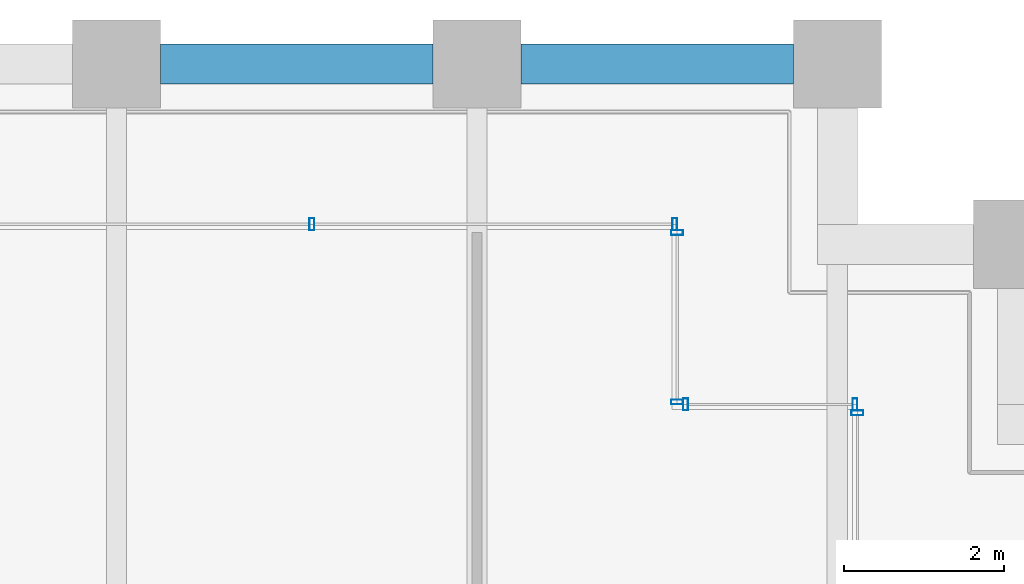
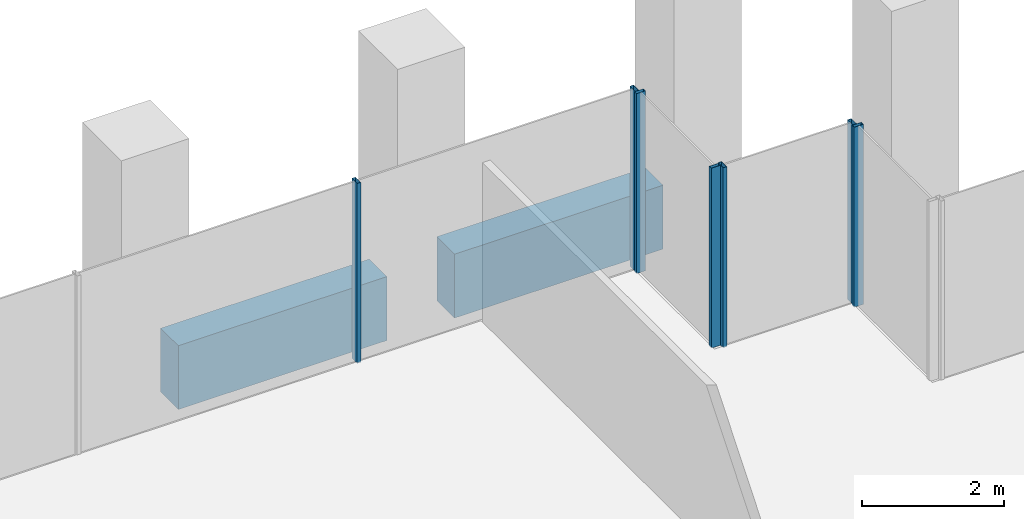
# One storey, part 32 of 54: 7 members, 2 beams, 4 elements without a shape of their own.
"""IFC4 building model written with IfcOpenShell, lengths in metres."""

import ifcopenshell
import ifcopenshell.guid

model = None  # the IFC model being written
_history = None  # IfcOwnerHistory: only IFC2X3 demands one
_inside = {}  # id of a spatial element -> (the spatial element, [elements in it])
_under = {}  # id of a project, library or spatial element -> (it, [spatial elements below it])
_declared = {}  # id of a project -> (the project, [libraries it declares])
_typed = {}  # id of a type object -> (the type object, [elements of that type])
_made_of = {}  # id of a material, layer set ... -> (it, [elements and type objects made of it])


def new_model(schema):
    """Start an empty IFC model of exactly this schema.

    Asked for "IFC4X3", IfcOpenShell would pick the latest addendum, in which some entities
    have other attributes; the version numbers below select the first issue.
    IFC2X3 requires an IfcOwnerHistory on every rooted entity: one is made here for all.
    """
    global model, _history
    if schema == "IFC4X3":
        model = ifcopenshell.file(schema_version=(4, 3, 0, 0))
    else:
        model = ifcopenshell.file(schema=schema)
    _inside.clear()
    _under.clear()
    _declared.clear()
    _typed.clear()
    _made_of.clear()
    _history = None
    if model.schema == "IFC2X3":
        org = make("IfcOrganization", Name="unknown")
        user = make(
            "IfcPersonAndOrganization",
            ThePerson=make("IfcPerson", FamilyName="unknown"),
            TheOrganization=org,
        )
        app = make(
            "IfcApplication",
            ApplicationDeveloper=org,
            Version="unknown",
            ApplicationFullName="unknown",
            ApplicationIdentifier="unknown",
        )
        _history = make(
            "IfcOwnerHistory",
            OwningUser=user,
            OwningApplication=app,
            ChangeAction="ADDED",
            CreationDate=0,
        )
    return model


def make(cls, **values):
    """One entity of the class cls with the attributes given. An attribute that is None is left unset."""
    return model.create_entity(
        cls, **{name: value for name, value in values.items() if value is not None}
    )


def rooted(cls, **values):
    """An entity with a GlobalId (a new one), such as an element, a storey or a relation."""
    return make(cls, GlobalId=ifcopenshell.guid.new(), OwnerHistory=_history, **values)


def si_unit(unit_type, name, prefix=None):
    """IfcSIUnit, for example si_unit("LENGTHUNIT", "METRE", prefix="MILLI")."""
    return make("IfcSIUnit", UnitType=unit_type, Prefix=prefix, Name=name)


def assignment(units):
    """IfcUnitAssignment: the units of a project."""
    return None if units is None else make("IfcUnitAssignment", Units=units)


def point(xyz):
    """IfcCartesianPoint."""
    return None if xyz is None else make("IfcCartesianPoint", Coordinates=xyz)


def direction(xyz):
    """IfcDirection."""
    return None if xyz is None else make("IfcDirection", DirectionRatios=xyz)


def frame(location, z_axis=None, x_axis=None):
    """IfcAxis2Placement3D, a coordinate frame: its origin and axes. An axis left out is left unset."""
    return make(
        "IfcAxis2Placement3D",
        Location=point(location),
        Axis=direction(z_axis),
        RefDirection=direction(x_axis),
    )


def frame_2d(location, x_axis=None):
    """IfcAxis2Placement2D, a coordinate frame in the plane: its origin and x axis."""
    return make(
        "IfcAxis2Placement2D", Location=point(location), RefDirection=direction(x_axis)
    )


def origin():
    """The frame at (0, 0, 0) with its axes left unset."""
    return frame((0.0, 0.0, 0.0))


def origin_2d():
    """The frame at (0, 0) in the plane with its x axis left unset."""
    return frame_2d((0.0, 0.0))


def place(relative_to, where):
    """IfcLocalPlacement: puts the frame where relative to a parent placement (None: the world)."""
    return make(
        "IfcLocalPlacement", PlacementRelTo=relative_to, RelativePlacement=where
    )


def context(
    kind, dimensions, precision=None, world=None, true_north=None, identifier=None
):
    """IfcGeometricRepresentationContext, for example the 3D "Model" context."""
    return make(
        "IfcGeometricRepresentationContext",
        ContextIdentifier=identifier,
        ContextType=kind,
        CoordinateSpaceDimension=dimensions,
        Precision=precision,
        WorldCoordinateSystem=world,
        TrueNorth=true_north,
    )


def subcontext(parent, identifier, kind, view, scale=None):
    """IfcGeometricRepresentationSubContext, for example "Body" below "Model"."""
    return make(
        "IfcGeometricRepresentationSubContext",
        ContextIdentifier=identifier,
        ContextType=kind,
        ParentContext=parent,
        TargetScale=scale,
        TargetView=view,
    )


def project(units=None, contexts=None):
    """IfcProject with its units and contexts."""
    return rooted(
        "IfcProject",
        Name="project",
        RepresentationContexts=contexts,
        UnitsInContext=assignment(units),
    )


def spatial(cls, under=None, at=None, **own):
    """A site, building, storey or space (cls), placed at a placement, below another one or the project."""
    s = rooted(cls, ObjectPlacement=at, **own)
    if under is not None:
        _under.setdefault(under.id(), (under, []))[1].append(s)
    return s


def profile(cls, at=None, kind="AREA", **sizes):
    """A parametric profile (cls). Its sizes go by their IFC names, for example OverallWidth=200.0."""
    return make(cls, ProfileType=kind, Position=at, **sizes)


def rectangle(**sizes):
    """IfcRectangleProfileDef."""
    return profile("IfcRectangleProfileDef", **sizes)


def hollow_rectangle(**sizes):
    """IfcRectangleHollowProfileDef."""
    return profile("IfcRectangleHollowProfileDef", **sizes)


def extrude(swept, where, along, depth):
    """IfcExtrudedAreaSolid: the profile swept, set in the frame where, extruded along a direction by depth."""
    return make(
        "IfcExtrudedAreaSolid",
        SweptArea=swept,
        Position=where,
        ExtrudedDirection=direction(along),
        Depth=depth,
    )


def shape(context_of_items, identifier, shape_type, items):
    """IfcShapeRepresentation: the items that make up one representation, for example the "Body"."""
    return make(
        "IfcShapeRepresentation",
        ContextOfItems=context_of_items,
        RepresentationIdentifier=identifier,
        RepresentationType=shape_type,
        Items=items,
    )


def material(Name=None, Category=None):
    """IfcMaterial."""
    return make("IfcMaterial", Name=Name, Category=Category)


def material_profile(
    of_material, cross_section, Name=None, Category=None, Priority=None
):
    """IfcMaterialProfile: a cross section and its material."""
    return make(
        "IfcMaterialProfile",
        Name=Name,
        Material=of_material,
        Profile=cross_section,
        Priority=Priority,
        Category=Category,
    )


def profile_set(profiles, Name=None, composite=None):
    """IfcMaterialProfileSet."""
    return make(
        "IfcMaterialProfileSet",
        Name=Name,
        MaterialProfiles=profiles,
        CompositeProfile=composite,
    )


def made_of(thing, what):
    """Note that an element or type object is made of a material, layer set ...; save() writes the relation."""
    if what is not None:
        _made_of.setdefault(what.id(), (what, []))[1].append(thing)
    return thing


def type_object(cls, material=None, **own):
    """A type object (cls), such as IfcWallType, which elements share."""
    return made_of(rooted(cls, **own), material)


def element(
    cls,
    number,
    at=None,
    inside=None,
    cuts=None,
    type_object=None,
    material=None,
    context=None,
    identifier="Body",
    shape_type=None,
    held_by="IfcProductDefinitionShape",
    body=None,
    shapes=None,
    **own,
):
    """One element of the class cls, such as IfcWall. Its Tag is "e" and its number.

    at: its placement. inside: the storey or other place that contains it. cuts: it is an
    opening in that element (IfcRelVoidsElement). A single representation is given by context,
    identifier, shape_type and body (its items); several are given by shapes. held_by: the class
    of the entity that holds the representations. save() writes the other relations.
    """
    e = rooted(cls, Tag="e%d" % number, ObjectPlacement=at, **own)
    if body is not None:
        shapes = [shape(context, identifier, shape_type, body)]
    if shapes is not None:
        e.Representation = make(held_by, Representations=shapes)
    if inside is not None:
        _inside.setdefault(inside.id(), (inside, []))[1].append(e)
    if cuts is not None:
        rooted(
            "IfcRelVoidsElement", RelatingBuildingElement=cuts, RelatedOpeningElement=e
        )
    if type_object is not None:
        _typed.setdefault(type_object.id(), (type_object, []))[1].append(e)
    return made_of(e, material)


def aggregate(whole, parts):
    """IfcRelAggregates: a whole, such as a stair, and the parts it consists of."""
    return rooted("IfcRelAggregates", RelatingObject=whole, RelatedObjects=parts)


def save(model, path):
    """Write the relations noted so far, then the file.

    IfcRelAggregates (storeys below a building ...), IfcRelContainedInSpatialStructure (elements
    in a storey), IfcRelDefinesByType, IfcRelAssociatesMaterial and IfcRelDeclares: one each for
    every whole, place, type object, material and project.
    """
    for whole, parts in _under.values():
        aggregate(whole, parts)
    for where, things in _inside.values():
        rooted(
            "IfcRelContainedInSpatialStructure",
            RelatedElements=things,
            RelatingStructure=where,
        )
    for kind, things in _typed.values():
        rooted("IfcRelDefinesByType", RelatedObjects=things, RelatingType=kind)
    for what, things in _made_of.values():
        rooted("IfcRelAssociatesMaterial", RelatedObjects=things, RelatingMaterial=what)
    for by, libraries in _declared.values():
        rooted("IfcRelDeclares", RelatingContext=by, RelatedDefinitions=libraries)
    model.write(path)


model = new_model("IFC4")

# Units and contexts
model_context = context("Model", 3, precision=1e-05, world=origin(), true_north=direction((0.0, 1.0)))
body_context = subcontext(model_context, "Body", "Model", "MODEL_VIEW")
ifc_project = project(units=[si_unit("LENGTHUNIT", "METRE"), si_unit("AREAUNIT", "SQUARE_METRE"), si_unit("VOLUMEUNIT", "CUBIC_METRE"), si_unit("PLANEANGLEUNIT", "RADIAN"), si_unit("MASSUNIT", "GRAM", prefix="KILO")], contexts=[model_context])

# Site, building, storey
site_placement = place(None, origin())
site = spatial("IfcSite", under=ifc_project, at=site_placement, CompositionType="ELEMENT")
building_placement = place(site_placement, origin())
building = spatial("IfcBuilding", under=site, at=building_placement, Name="Altepetl Exchange Towers", CompositionType="ELEMENT")
storey_placement = place(building_placement, frame((0.0, 0.0, 65.39990234375)))
storey = spatial("IfcBuildingStorey", under=building, at=storey_placement, Name="L15", CompositionType="ELEMENT", Elevation=65.39990234375)

# Curtain wall, member
ifc_material_1 = material(Name="Aluminium 6063-T6 glazing", Category="aluminium")
curtain_wall_type = type_object("IfcCurtainWallType", Name="Loggia glazing system", PredefinedType="NOTDEFINED", material=ifc_material_1)
curtain_wall_1_placement = place(storey_placement, origin())
curtain_wall_1 = element("IfcCurtainWall", 1, at=curtain_wall_1_placement, inside=storey, type_object=curtain_wall_type, Name="CW1 run", PredefinedType="NOTDEFINED")
ifc_material_2 = material(Name="Aluminium 6063-T6", Category="aluminium")
ifc_material_profile_1 = material_profile(ifc_material_2, hollow_rectangle(XDim=0.06005859375, YDim=0.14990234375, WallThickness=0.0029296875, at=origin_2d()), Name="Mullion 60x150 aluminium")
ifc_profile_set_1 = profile_set([ifc_material_profile_1], Name="Aluminium 6063-T6")
member_type = type_object("IfcMemberType", Name="Mullion 60x150 aluminium", PredefinedType="MULLION", material=ifc_profile_set_1)
member_1_placement = place(storey_placement, frame((67.75, 67.64501953125, 0.0), z_axis=(0.0, 0.0, 1.0), x_axis=(0.0, 1.0, 0.0)))
member_1 = element("IfcMember", 2, at=member_1_placement, type_object=member_type, Name="MU1 mullion", PredefinedType="MULLION", context=body_context, shape_type="SweptSolid", body=[
    extrude(hollow_rectangle(XDim=0.06005859375, YDim=0.14990234375, WallThickness=0.0029296875, at=origin_2d()), origin(), (0.0, 0.0, 1.0), 3.10009765625),
])
aggregate(curtain_wall_1, [member_1])

# Curtain wall, members
curtain_wall_2_placement = place(storey_placement, origin())
curtain_wall_2 = element("IfcCurtainWall", 3, at=curtain_wall_2_placement, inside=storey, type_object=curtain_wall_type, Name="CW1 run", PredefinedType="NOTDEFINED")
member_2_placement = place(storey_placement, frame((67.719970703125, 67.75, 0.0), z_axis=(0.0, 0.0, 1.0), x_axis=(-1.0, 0.0, 0.0)))
member_2 = element("IfcMember", 4, at=member_2_placement, type_object=member_type, Name="MU1 mullion", PredefinedType="MULLION", context=body_context, shape_type="SweptSolid", body=[
    extrude(hollow_rectangle(XDim=0.06005859375, YDim=0.14990234375, WallThickness=0.0029296875, at=origin_2d()), origin(), (0.0, 0.0, 1.0), 3.10009765625),
])
member_3_placement = place(storey_placement, frame((65.60498046875, 67.75, 0.0), z_axis=(0.0, 0.0, 1.0), x_axis=(-1.0, 0.0, 0.0)))
member_3 = element("IfcMember", 5, at=member_3_placement, type_object=member_type, Name="MU1 mullion", PredefinedType="MULLION", context=body_context, shape_type="SweptSolid", body=[
    extrude(hollow_rectangle(XDim=0.06005859375, YDim=0.14990234375, WallThickness=0.0029296875, at=origin_2d()), origin(), (0.0, 0.0, 1.0), 3.10009765625),
])
aggregate(curtain_wall_2, [member_2, member_3])

curtain_wall_3_placement = place(storey_placement, origin())
curtain_wall_3 = element("IfcCurtainWall", 6, at=curtain_wall_3_placement, inside=storey, type_object=curtain_wall_type, Name="CW1 run", PredefinedType="NOTDEFINED")
member_4_placement = place(storey_placement, frame((65.5, 67.780029296875, 0.0), z_axis=(0.0, 0.0, 1.0), x_axis=(0.0, 1.0, 0.0)))
member_4 = element("IfcMember", 7, at=member_4_placement, type_object=member_type, Name="MU1 mullion", PredefinedType="MULLION", context=body_context, shape_type="SweptSolid", body=[
    extrude(hollow_rectangle(XDim=0.06005859375, YDim=0.14990234375, WallThickness=0.0029296875, at=origin_2d()), origin(), (0.0, 0.0, 1.0), 3.10009765625),
])
member_5_placement = place(storey_placement, frame((65.5, 69.89501953125, 0.0), z_axis=(0.0, 0.0, 1.0), x_axis=(0.0, 1.0, 0.0)))
member_5 = element("IfcMember", 8, at=member_5_placement, type_object=member_type, Name="MU1 mullion", PredefinedType="MULLION", context=body_context, shape_type="SweptSolid", body=[
    extrude(hollow_rectangle(XDim=0.06005859375, YDim=0.14990234375, WallThickness=0.0029296875, at=origin_2d()), origin(), (0.0, 0.0, 1.0), 3.10009765625),
])
aggregate(curtain_wall_3, [member_4, member_5])

curtain_wall_4_placement = place(storey_placement, origin())
curtain_wall_4 = element("IfcCurtainWall", 9, at=curtain_wall_4_placement, inside=storey, type_object=curtain_wall_type, Name="CW1 run", PredefinedType="NOTDEFINED")
member_6_placement = place(storey_placement, frame((65.469970703125, 70.0, 0.0), z_axis=(0.0, 0.0, 1.0), x_axis=(-1.0, 0.0, 0.0)))
member_6 = element("IfcMember", 10, at=member_6_placement, type_object=member_type, Name="MU1 mullion", PredefinedType="MULLION", context=body_context, shape_type="SweptSolid", body=[
    extrude(hollow_rectangle(XDim=0.06005859375, YDim=0.14990234375, WallThickness=0.0029296875, at=origin_2d()), origin(), (0.0, 0.0, 1.0), 3.10009765625),
])
member_7_placement = place(storey_placement, frame((60.939208984375, 70.0, 0.0), z_axis=(0.0, 0.0, 1.0), x_axis=(-1.0, 0.0, 0.0)))
member_7 = element("IfcMember", 11, at=member_7_placement, type_object=member_type, Name="MU1 mullion", PredefinedType="MULLION", context=body_context, shape_type="SweptSolid", body=[
    extrude(hollow_rectangle(XDim=0.06005859375, YDim=0.14990234375, WallThickness=0.0029296875, at=origin_2d()), origin(), (0.0, 0.0, 1.0), 3.10009765625),
])
aggregate(curtain_wall_4, [member_6, member_7])

# Beams
ifc_material_3 = material(Name="Concrete C50/60 precast with cantera rosa facing", Category="concrete")
ifc_material_profile_2 = material_profile(ifc_material_3, rectangle(XDim=0.5, YDim=1.10009765625, at=origin_2d()), Name="500 x 1100")
ifc_profile_set_2 = profile_set([ifc_material_profile_2], Name="Concrete C50/60 precast with cantera rosa facing")
beam_type = type_object("IfcBeamType", Name="Spandrel beam 500x1100 cantera rosa", PredefinedType="SPANDREL", material=ifc_profile_set_2)
for number, where, z_axis, x_axis, name in (
    (12, (66.949951171875, 72.0, -0.699951171875), (-1.0, 0.0, 0.0), (0.0, -1.0, 0.0), "sp:A:L15:024"),
    (13, (62.449951171875, 72.0, -0.699951171875), (-1.0, 0.0, 0.0), (0.0, -1.0, 0.0), "sp:A:L15:025"),
):
    element("IfcBeam", number, at=place(storey_placement, frame(where, z_axis=z_axis, x_axis=x_axis)), inside=storey, type_object=beam_type, Name=name, PredefinedType="SPANDREL", context=body_context, shape_type="SweptSolid", body=[
        extrude(rectangle(XDim=0.5, YDim=1.10009765625, at=origin_2d()), origin(), (0.0, 0.0, 1.0), 3.39990234375),
    ])

save(model, "model.ifc")
